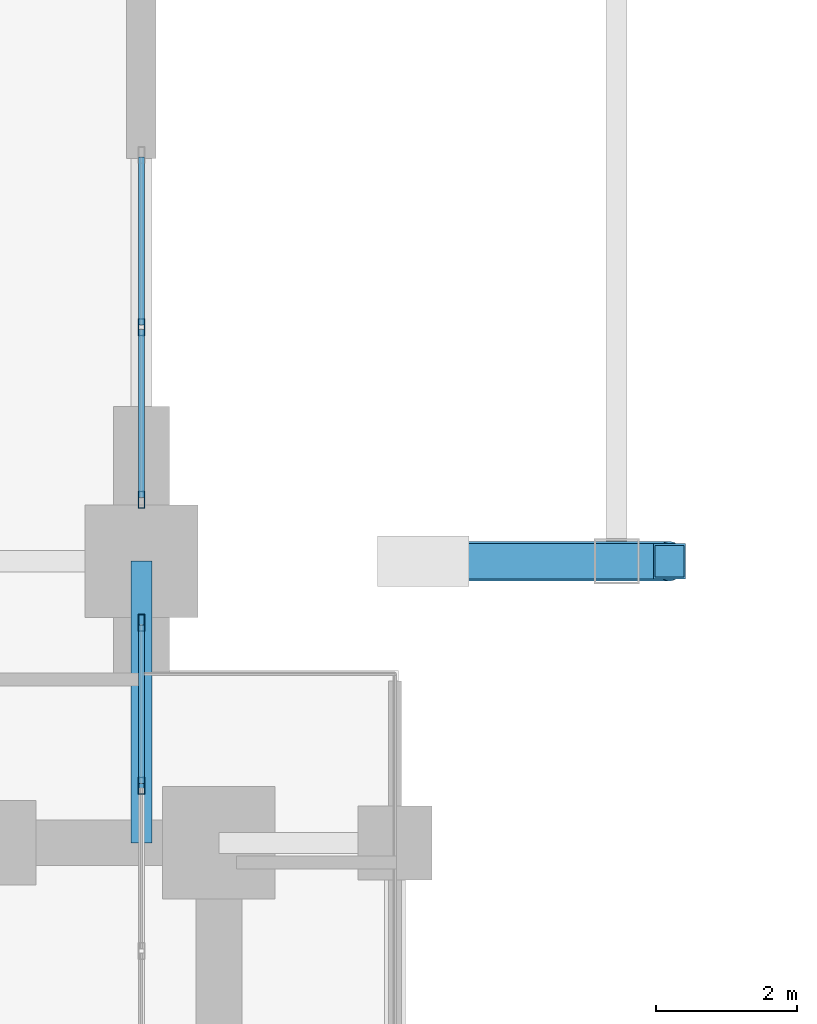
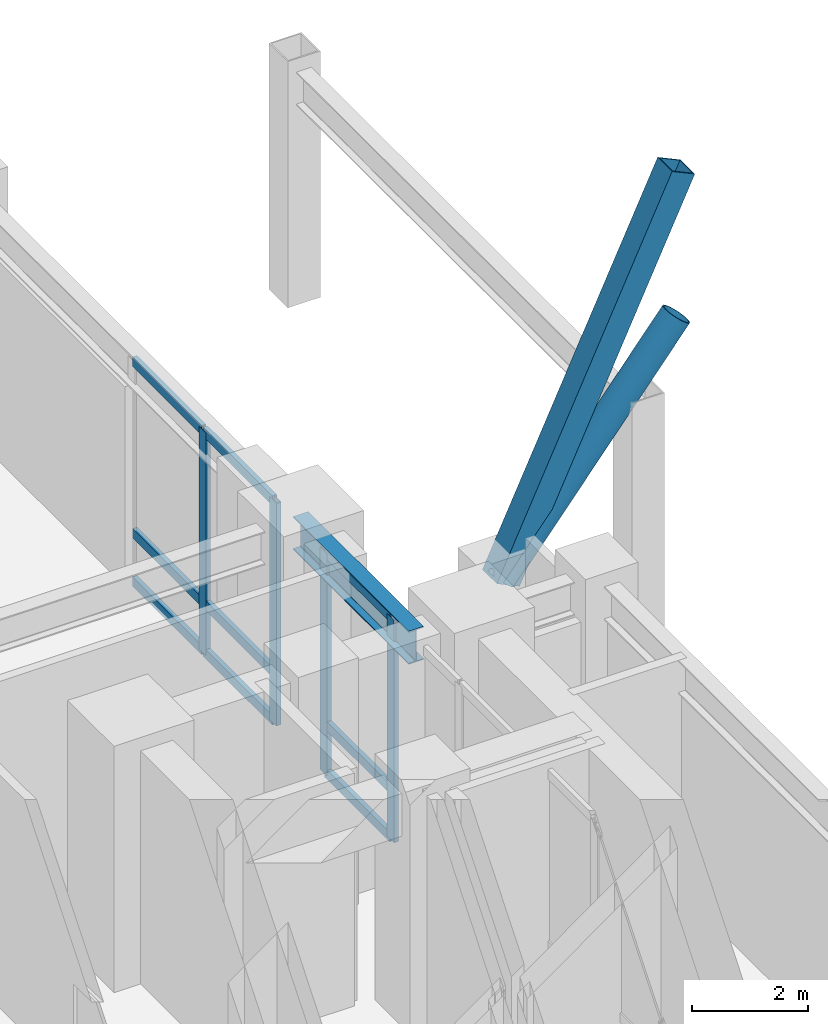
# One storey, part 10 of 26: 15 members, 1 beam, 2 elements without a shape of their own.
"""IFC4 building model written with IfcOpenShell, lengths in metres."""

from ifc_helpers import new_model, si_unit, direction, frame, origin, origin_2d, place, context, subcontext, project, spatial, hollow_rectangle, hollow_circle, i_section, extrude, material, layer, layer_set, material_profile, profile_set, type_object, element, aggregate, save


model = new_model("IFC4")

# Units and contexts
model_context = context("Model", 3, precision=1e-05, world=origin(), true_north=direction((0.0, 1.0)))
body_context = subcontext(model_context, "Body", "Model", "MODEL_VIEW")
ifc_project = project(units=[si_unit("LENGTHUNIT", "METRE"), si_unit("AREAUNIT", "SQUARE_METRE"), si_unit("VOLUMEUNIT", "CUBIC_METRE"), si_unit("PLANEANGLEUNIT", "RADIAN"), si_unit("MASSUNIT", "GRAM", prefix="KILO")], contexts=[model_context])

# Site, building, storey
site_placement = place(None, origin())
site = spatial("IfcSite", under=ifc_project, at=site_placement, CompositionType="ELEMENT")
building_placement = place(site_placement, origin())
building = spatial("IfcBuilding", under=site, at=building_placement, Name="Voryun Gate Residences", CompositionType="ELEMENT")
storey_placement = place(building_placement, frame((0.0, 0.0, 10.39990234375)))
storey = spatial("IfcBuildingStorey", under=building, at=storey_placement, Name="L02", CompositionType="ELEMENT", Elevation=10.39990234375)

# Beam
ifc_material_1 = material(Name="Steel SM355", Category="steel")
ifc_material_profile_1 = material_profile(ifc_material_1, i_section(OverallWidth=0.300048828125, OverallDepth=0.699951171875, WebThickness=0.012939453125, FlangeThickness=0.02392578125, FilletRadius=0.01806640625, at=origin_2d()), Name="H-700x300x13x24")
ifc_profile_set_1 = profile_set([ifc_material_profile_1], Name="Steel SM355")
beam_type = type_object("IfcBeamType", Name="BM_GIRD_700", PredefinedType="USERDEFINED", material=ifc_profile_set_1)
beam_placement = place(storey_placement, frame((-13.5, 7.39990234375, 4.570068359375), z_axis=(0.0, 1.0, 0.0), x_axis=(-1.0, 0.0, 0.0)))
element("IfcBeam", 1, at=beam_placement, inside=storey, type_object=beam_type, Name="BM-L02-PWYA-+7.4", ObjectType="GIRDER", PredefinedType="USERDEFINED", context=body_context, shape_type="SweptSolid", body=[
    extrude(i_section(OverallWidth=0.300048828125, OverallDepth=0.699951171875, WebThickness=0.012939453125, FlangeThickness=0.02392578125, FilletRadius=0.01806640625, at=origin_2d()), origin(), (0.0, 0.0, 1.0), 4.0),
])

# Curtain wall, members
ifc_material_2 = material(Name="Anodised aluminium", Category="aluminium")
ifc_layer = layer(ifc_material_2, 0.239990234375, Name="CW_SYS_ARCH_DARK_GLASS")
ifc_layer_set = layer_set([ifc_layer], Name="Anodised aluminium")
curtain_wall_type = type_object("IfcCurtainWallType", Name="CW_SYS_ARCH_DARK_GLASS", PredefinedType="NOTDEFINED", material=ifc_layer_set)
curtain_wall_1_placement = place(storey_placement, origin())
curtain_wall_1 = element("IfcCurtainWall", 2, at=curtain_wall_1_placement, inside=storey, type_object=curtain_wall_type, Name="Curtain wall CW2-L02-WP-M", PredefinedType="NOTDEFINED")
ifc_material_3 = material(Name="Anodised aluminium", Category="aluminium")
ifc_material_profile_2 = material_profile(ifc_material_3, hollow_rectangle(XDim=0.090087890625, YDim=0.239990234375, WallThickness=0.006103515625, at=origin_2d()), Name="ALU-MULL-240x90x6")
ifc_profile_set_2 = profile_set([ifc_material_profile_2], Name="Anodised aluminium")
member_type_1 = type_object("IfcMemberType", Name="CW_MULL_ARCH", PredefinedType="MULLION", material=ifc_profile_set_2)
member_1_placement = place(storey_placement, frame((-13.5, 8.20947265625, 0.0), z_axis=(0.0, 0.0, 1.0), x_axis=(-1.0, 0.0, 0.0)))
member_1 = element("IfcMember", 3, at=member_1_placement, type_object=member_type_1, Name="CW2 mullion 9", PredefinedType="MULLION", context=body_context, shape_type="SweptSolid", body=[
    extrude(hollow_rectangle(XDim=0.090087890625, YDim=0.239990234375, WallThickness=0.006103515625, at=origin_2d()), origin(), (0.0, 0.0, 1.0), 4.7001953125),
])
member_2_placement = place(storey_placement, frame((-13.5, 10.52490234375, 0.0), z_axis=(0.0, 0.0, 1.0), x_axis=(-1.0, 0.0, 0.0)))
member_2 = element("IfcMember", 4, at=member_2_placement, type_object=member_type_1, Name="CW2 mullion 10", PredefinedType="MULLION", context=body_context, shape_type="SweptSolid", body=[
    extrude(hollow_rectangle(XDim=0.090087890625, YDim=0.239990234375, WallThickness=0.006103515625, at=origin_2d()), origin(), (0.0, 0.0, 1.0), 4.7001953125),
])

curtain_wall_2_placement = place(storey_placement, origin())
curtain_wall_2 = element("IfcCurtainWall", 5, at=curtain_wall_2_placement, inside=storey, type_object=curtain_wall_type, Name="Curtain wall CW2-L02-WP-N", PredefinedType="NOTDEFINED")
member_3_placement = place(storey_placement, frame((-13.5, 12.27490234375, 0.0), z_axis=(0.0, 0.0, 1.0), x_axis=(-1.0, 0.0, 0.0)))
member_3 = element("IfcMember", 6, at=member_3_placement, type_object=member_type_1, Name="CW2 mullion 1", PredefinedType="MULLION", context=body_context, shape_type="SweptSolid", body=[
    extrude(hollow_rectangle(XDim=0.090087890625, YDim=0.239990234375, WallThickness=0.006103515625, at=origin_2d()), origin(), (0.0, 0.0, 1.0), 4.7001953125),
])
member_4_placement = place(storey_placement, frame((-13.5, 14.722412109375, 0.0), z_axis=(0.0, 0.0, 1.0), x_axis=(-1.0, 0.0, 0.0)))
member_4 = element("IfcMember", 7, at=member_4_placement, type_object=member_type_1, Name="CW2 mullion 2", PredefinedType="MULLION", context=body_context, shape_type="SweptSolid", body=[
    extrude(hollow_rectangle(XDim=0.090087890625, YDim=0.239990234375, WallThickness=0.006103515625, at=origin_2d()), origin(), (0.0, 0.0, 1.0), 4.7001953125),
])

# Member
ifc_material_4 = material(Name="Anodised aluminium", Category="aluminium")
ifc_material_profile_3 = material_profile(ifc_material_4, hollow_rectangle(XDim=0.090087890625, YDim=0.199951171875, WallThickness=0.006103515625, at=origin_2d()), Name="ALU-TRAN-200x90x6")
ifc_profile_set_3 = profile_set([ifc_material_profile_3], Name="Anodised aluminium")
member_type_2 = type_object("IfcMemberType", Name="CW_TRAN_ARCH", PredefinedType="USERDEFINED", material=ifc_profile_set_3)
member_5_placement = place(storey_placement, frame((-13.5, 8.239501953125, 0.030029296875), z_axis=(0.0, 1.0, 0.0), x_axis=(-1.0, 0.0, 0.0)))
member_5 = element("IfcMember", 8, at=member_5_placement, type_object=member_type_2, Name="CW2 transom 9.1", ObjectType="TRANSOM", PredefinedType="USERDEFINED", context=body_context, shape_type="SweptSolid", body=[
    extrude(hollow_rectangle(XDim=0.090087890625, YDim=0.199951171875, WallThickness=0.006103515625, at=origin_2d()), origin(), (0.0, 0.0, 1.0), 2.255615234375),
])

member_6_placement = place(storey_placement, frame((-13.5, 8.239501953125, 1.050048828125), z_axis=(0.0, 1.0, 0.0), x_axis=(-1.0, 0.0, 0.0)))
member_6 = element("IfcMember", 9, at=member_6_placement, type_object=member_type_2, Name="CW2 transom 9.2", ObjectType="TRANSOM", PredefinedType="USERDEFINED", context=body_context, shape_type="SweptSolid", body=[
    extrude(hollow_rectangle(XDim=0.090087890625, YDim=0.199951171875, WallThickness=0.006103515625, at=origin_2d()), origin(), (0.0, 0.0, 1.0), 2.255615234375),
])

member_7_placement = place(storey_placement, frame((-13.5, 8.239501953125, 4.670166015625), z_axis=(0.0, 1.0, 0.0), x_axis=(-1.0, 0.0, 0.0)))
member_7 = element("IfcMember", 10, at=member_7_placement, type_object=member_type_2, Name="CW2 transom 9.3", ObjectType="TRANSOM", PredefinedType="USERDEFINED", context=body_context, shape_type="SweptSolid", body=[
    extrude(hollow_rectangle(XDim=0.090087890625, YDim=0.199951171875, WallThickness=0.006103515625, at=origin_2d()), origin(), (0.0, 0.0, 1.0), 2.255615234375),
])

aggregate(curtain_wall_1, [member_1, member_2, member_5, member_6, member_7])

member_8_placement = place(storey_placement, frame((-13.5, 12.304931640625, 0.030029296875), z_axis=(0.0, 1.0, 0.0), x_axis=(-1.0, 0.0, 0.0)))
member_8 = element("IfcMember", 11, at=member_8_placement, type_object=member_type_2, Name="CW2 transom 1.1", ObjectType="TRANSOM", PredefinedType="USERDEFINED", context=body_context, shape_type="SweptSolid", body=[
    extrude(hollow_rectangle(XDim=0.090087890625, YDim=0.199951171875, WallThickness=0.006103515625, at=origin_2d()), origin(), (0.0, 0.0, 1.0), 2.387451171875),
])

member_9_placement = place(storey_placement, frame((-13.5, 12.304931640625, 1.050048828125), z_axis=(0.0, 1.0, 0.0), x_axis=(-1.0, 0.0, 0.0)))
member_9 = element("IfcMember", 12, at=member_9_placement, type_object=member_type_2, Name="CW2 transom 1.2", ObjectType="TRANSOM", PredefinedType="USERDEFINED", context=body_context, shape_type="SweptSolid", body=[
    extrude(hollow_rectangle(XDim=0.090087890625, YDim=0.199951171875, WallThickness=0.006103515625, at=origin_2d()), origin(), (0.0, 0.0, 1.0), 2.387451171875),
])

member_10_placement = place(storey_placement, frame((-13.5, 12.304931640625, 4.670166015625), z_axis=(0.0, 1.0, 0.0), x_axis=(-1.0, 0.0, 0.0)))
member_10 = element("IfcMember", 13, at=member_10_placement, type_object=member_type_2, Name="CW2 transom 1.3", ObjectType="TRANSOM", PredefinedType="USERDEFINED", context=body_context, shape_type="SweptSolid", body=[
    extrude(hollow_rectangle(XDim=0.090087890625, YDim=0.199951171875, WallThickness=0.006103515625, at=origin_2d()), origin(), (0.0, 0.0, 1.0), 2.387451171875),
])

member_11_placement = place(storey_placement, frame((-13.5, 14.75244140625, 0.030029296875), z_axis=(0.0, 1.0, 0.0), x_axis=(-1.0, 0.0, 0.0)))
member_11 = element("IfcMember", 14, at=member_11_placement, type_object=member_type_2, Name="CW2 transom 2.1", ObjectType="TRANSOM", PredefinedType="USERDEFINED", context=body_context, shape_type="SweptSolid", body=[
    extrude(hollow_rectangle(XDim=0.090087890625, YDim=0.199951171875, WallThickness=0.006103515625, at=origin_2d()), origin(), (0.0, 0.0, 1.0), 2.387451171875),
])

member_12_placement = place(storey_placement, frame((-13.5, 14.75244140625, 1.050048828125), z_axis=(0.0, 1.0, 0.0), x_axis=(-1.0, 0.0, 0.0)))
member_12 = element("IfcMember", 15, at=member_12_placement, type_object=member_type_2, Name="CW2 transom 2.2", ObjectType="TRANSOM", PredefinedType="USERDEFINED", context=body_context, shape_type="SweptSolid", body=[
    extrude(hollow_rectangle(XDim=0.090087890625, YDim=0.199951171875, WallThickness=0.006103515625, at=origin_2d()), origin(), (0.0, 0.0, 1.0), 2.387451171875),
])

member_13_placement = place(storey_placement, frame((-13.5, 14.75244140625, 4.670166015625), z_axis=(0.0, 1.0, 0.0), x_axis=(-1.0, 0.0, 0.0)))
member_13 = element("IfcMember", 16, at=member_13_placement, type_object=member_type_2, Name="CW2 transom 2.3", ObjectType="TRANSOM", PredefinedType="USERDEFINED", context=body_context, shape_type="SweptSolid", body=[
    extrude(hollow_rectangle(XDim=0.090087890625, YDim=0.199951171875, WallThickness=0.006103515625, at=origin_2d()), origin(), (0.0, 0.0, 1.0), 2.387451171875),
])

aggregate(curtain_wall_2, [member_3, member_4, member_8, member_9, member_10, member_11, member_12, member_13])

# Members
ifc_material_5 = material(Name="Steel SM420", Category="steel")
ifc_material_profile_4 = material_profile(ifc_material_5, hollow_rectangle(XDim=0.5, YDim=0.5, WallThickness=0.02392578125, at=origin_2d()), Name="BOX-500x500x24")
ifc_profile_set_4 = profile_set([ifc_material_profile_4], Name="Steel SM420")
member_type_3 = type_object("IfcMemberType", Name="MBR_ARCH_WEB", PredefinedType="BRACE", material=ifc_profile_set_4)
member_14_placement = place(storey_placement, frame((-9.5, 11.39990234375, 2.170166015625), z_axis=(0.423814209745, 0.0, 0.905749146077), x_axis=(0.0, 1.0, 0.0)))
element("IfcMember", 17, at=member_14_placement, inside=storey, type_object=member_type_3, Name="Parabolic Tied-Arch Web Brace N-2", PredefinedType="BRACE", context=body_context, shape_type="SweptSolid", body=[
    extrude(hollow_rectangle(XDim=0.5, YDim=0.5, WallThickness=0.02392578125, at=origin_2d()), origin(), (0.0, 0.0, 1.0), 8.25830078125),
])
ifc_material_6 = material(Name="Steel SM420", Category="steel")
ifc_material_profile_5 = material_profile(ifc_material_6, hollow_circle(Radius=0.280029296875, WallThickness=0.02587890625, at=origin_2d()), Name="CHS-560x26")
ifc_profile_set_5 = profile_set([ifc_material_profile_5], Name="Steel SM420")
member_type_4 = type_object("IfcMemberType", Name="MBR_CANT_STRUT_B2", PredefinedType="STRUT", material=ifc_profile_set_5)
member_15_placement = place(storey_placement, frame((-9.5, 11.39990234375, 2.170166015625), z_axis=(0.627231505049, 0.0, 0.778832869795), x_axis=(0.0, 1.0, 0.0)))
element("IfcMember", 18, at=member_15_placement, inside=storey, type_object=member_type_4, Name="Parabolic Tied-Arch Rib Member N Segment 2", PredefinedType="STRUT", context=body_context, shape_type="SweptSolid", body=[
    extrude(hollow_circle(Radius=0.280029296875, WallThickness=0.02587890625, at=origin_2d()), origin(), (0.0, 0.0, 1.0), 5.580078125),
])

save(model, "model.ifc")
